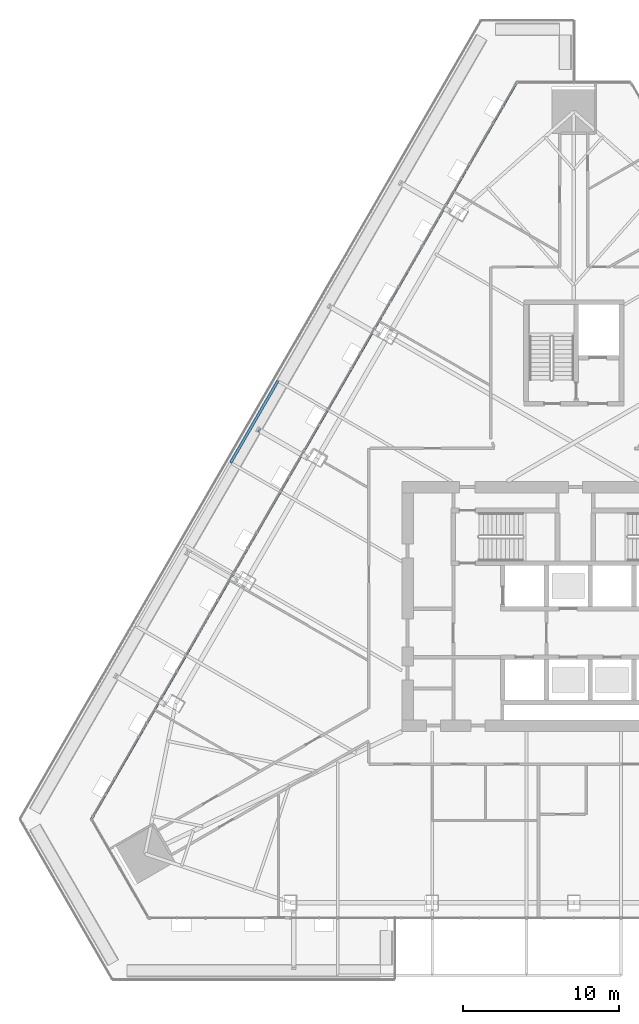
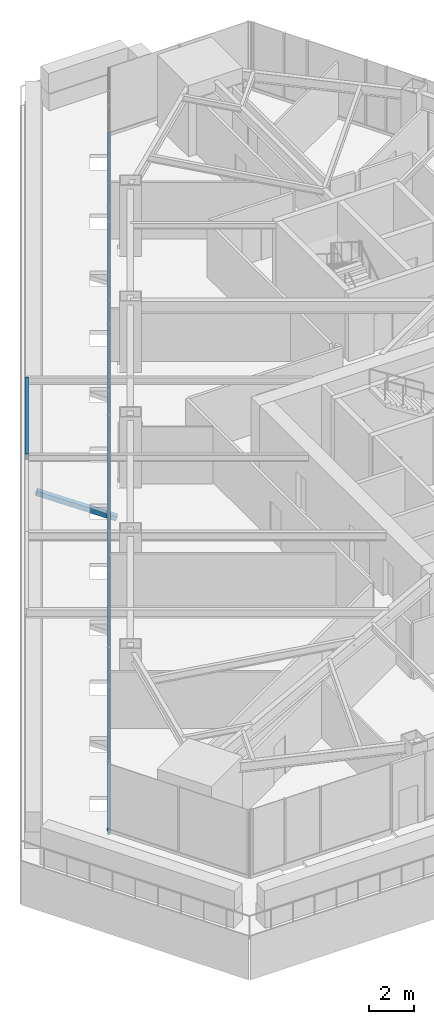
# One storey, part 9 of 35: 2 members, 1 beam, 1 element without a shape of its own.
"""IFC4 building model written with IfcOpenShell, lengths in metres."""

from ifc_helpers import new_model, si_unit, direction, frame, origin, origin_2d, place, context, subcontext, project, spatial, rectangle, hollow_rectangle, i_section, extrude, material, layer, layer_set, material_profile, profile_set, type_object, element, aggregate, save


model = new_model("IFC4")

# Units and contexts
model_context = context("Model", 3, precision=1e-05, world=origin(), true_north=direction((0.0, 1.0)))
body_context = subcontext(model_context, "Body", "Model", "MODEL_VIEW")
ifc_project = project(units=[si_unit("LENGTHUNIT", "METRE"), si_unit("AREAUNIT", "SQUARE_METRE"), si_unit("VOLUMEUNIT", "CUBIC_METRE"), si_unit("PLANEANGLEUNIT", "RADIAN"), si_unit("MASSUNIT", "GRAM", prefix="KILO")], contexts=[model_context])

# Site, building, storey
site_placement = place(None, origin())
site = spatial("IfcSite", under=ifc_project, at=site_placement, CompositionType="ELEMENT")
building_placement = place(site_placement, origin())
building = spatial("IfcBuilding", under=site, at=building_placement, Name="Firuza Gate Tower and Library", CompositionType="ELEMENT")
storey_placement = place(building_placement, frame((0.0, 0.0, 159.699951171875)))
storey = spatial("IfcBuildingStorey", under=building, at=storey_placement, Name="L36", CompositionType="ELEMENT", Elevation=159.699951171875)

# Curtain wall, member
ifc_material_1 = material(Name="Aluminium 6063-T6", Category="aluminium")
ifc_layer = layer(ifc_material_1, 0.14990234375)
ifc_layer_set = layer_set([ifc_layer], Name="Unitised curtain wall, hotel")
curtain_wall_type = type_object("IfcCurtainWallType", Name="Unitised curtain wall, hotel", PredefinedType="NOTDEFINED", material=ifc_layer_set)
curtain_wall_placement = place(storey_placement, origin())
curtain_wall = element("IfcCurtainWall", 1, at=curtain_wall_placement, inside=storey, type_object=curtain_wall_type, Name="CW2 L36 W face", PredefinedType="NOTDEFINED")
ifc_material_2 = material(Name="Aluminium 6063-T6", Category="aluminium")
ifc_material_profile_1 = material_profile(ifc_material_2, rectangle(XDim=0.14990234375, YDim=0.35009765625, at=origin_2d()))
ifc_profile_set_1 = profile_set([ifc_material_profile_1], Name="Aluminium 6063-T6")
member_type_1 = type_object("IfcMemberType", Name="Curtain wall transom 350x150", PredefinedType="USERDEFINED", material=ifc_profile_set_1)
member_1_placement = place(storey_placement, frame((71.356689453125, 108.517333984375, -0.02490234375), z_axis=(-0.500001200032, -0.866024710944, 0.0), x_axis=(0.866024710944, -0.500001200032, 0.0)))
member_1 = element("IfcMember", 2, at=member_1_placement, type_object=member_type_1, Name="Transom", ObjectType="TRANSOM", PredefinedType="USERDEFINED", context=body_context, shape_type="SweptSolid", body=[
    extrude(rectangle(XDim=0.14990234375, YDim=0.35009765625, at=origin_2d()), origin(), (0.0, 0.0, 1.0), 54.410400390625),
])
aggregate(curtain_wall, [member_1])

# Member
ifc_material_3 = material(Name="Steel S355", Category="steel")
ifc_material_profile_2 = material_profile(ifc_material_3, hollow_rectangle(XDim=0.25390625, YDim=0.25390625, WallThickness=0.01171875, at=origin_2d()))
ifc_profile_set_2 = profile_set([ifc_material_profile_2], Name="Steel S355")
member_type_2 = type_object("IfcMemberType", Name="HSS254x254x13 Tray strut", PredefinedType="BRACE", material=ifc_profile_set_2)
member_2_placement = place(storey_placement, frame((57.916015625, 84.51708984375, -1.669921875), z_axis=(-0.807164722971, 0.465968546417, 0.362434026744), x_axis=(-0.499961193289, -0.866047807691, 0.0)))
element("IfcMember", 3, at=member_2_placement, inside=storey, type_object=member_type_2, Name="Tray strut L36 col:L35:W3", PredefinedType="BRACE", context=body_context, shape_type="SweptSolid", body=[
    extrude(hollow_rectangle(XDim=0.25390625, YDim=0.25390625, WallThickness=0.01171875, at=origin_2d()), origin(), (0.0, 0.0, 1.0), 3.862548828125),
])

# Beam
ifc_material_4 = material(Name="Steel S355", Category="steel")
ifc_material_profile_3 = material_profile(ifc_material_4, i_section(OverallWidth=0.1650390625, OverallDepth=0.31005859375, WebThickness=0.005859375, FlangeThickness=0.009765625, at=origin_2d()))
ifc_profile_set_3 = profile_set([ifc_material_profile_3], Name="Steel S355")
beam_type = type_object("IfcBeamType", Name="W310x39 Floor beam", PredefinedType="JOIST", material=ifc_profile_set_3)
beam_placement = place(storey_placement, frame((56.080322265625, 89.408203125, 3.545166015625), z_axis=(-0.499962870475, -0.866046839464, 0.0), x_axis=(0.866046839464, -0.499962870475, 0.0)))
element("IfcBeam", 4, at=beam_placement, inside=storey, type_object=beam_type, Name="Tray edge beam L36 s82-s83", PredefinedType="JOIST", context=body_context, shape_type="SweptSolid", body=[
    extrude(i_section(OverallWidth=0.1650390625, OverallDepth=0.31005859375, WebThickness=0.005859375, FlangeThickness=0.009765625, at=origin_2d()), origin(), (0.0, 0.0, 1.0), 6.0361328125),
])

save(model, "model.ifc")
